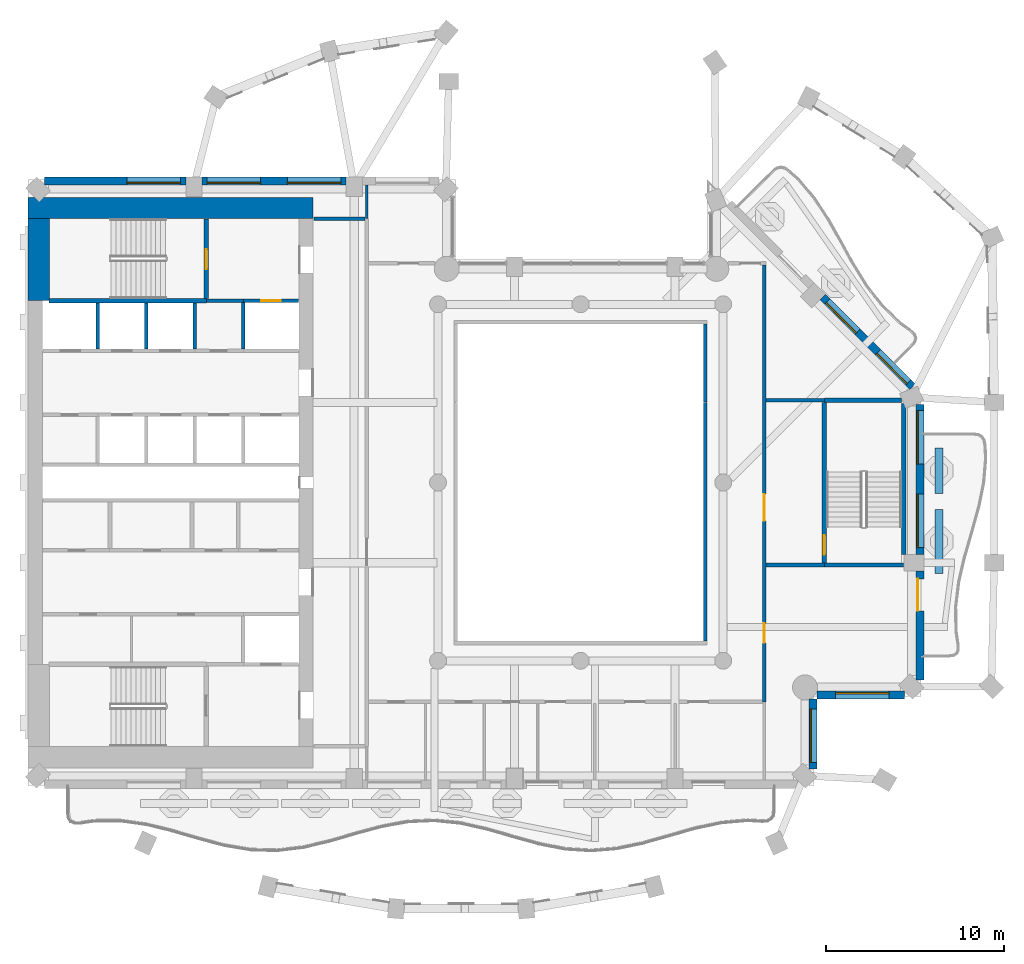
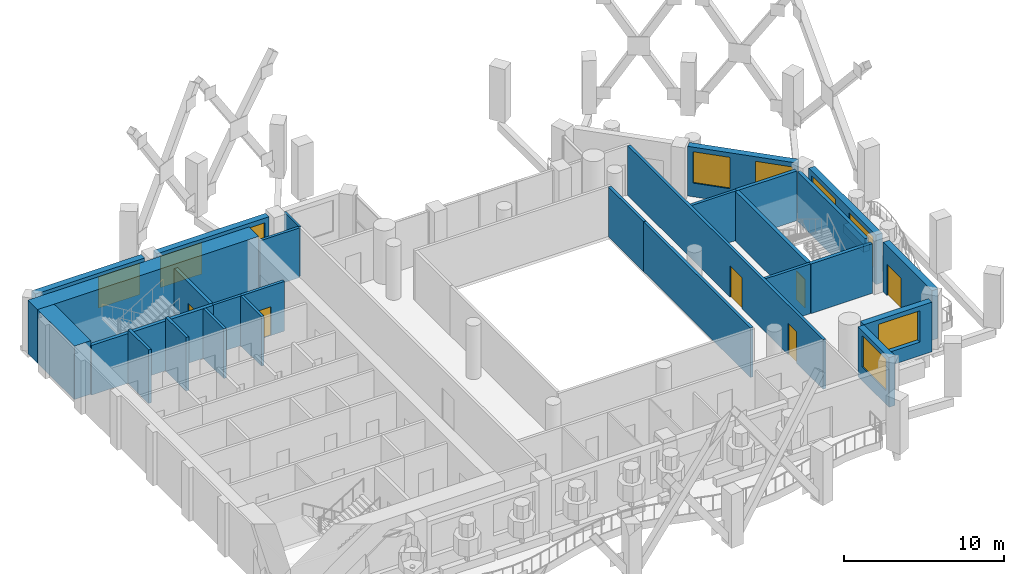
# One storey, part 6 of 16: 30 walls, 9 windows, 6 doors, 15 openings.
"""IFC4 building model written with IfcOpenShell, lengths in metres."""

from ifc_helpers import new_model, si_unit, direction, frame, frame_2d, origin, place, context, subcontext, project, spatial, rectangle, extrude, material, layer, layer_set, type_object, element, fill, save


model = new_model("IFC4")

# Units and contexts
model_context = context("Model", 3, precision=1e-05, world=origin(), true_north=direction((0.0, 1.0)))
body_context = subcontext(model_context, "Body", "Model", "MODEL_VIEW")
ifc_project = project(units=[si_unit("LENGTHUNIT", "METRE"), si_unit("AREAUNIT", "SQUARE_METRE"), si_unit("VOLUMEUNIT", "CUBIC_METRE"), si_unit("PLANEANGLEUNIT", "RADIAN"), si_unit("MASSUNIT", "GRAM", prefix="KILO")], contexts=[model_context])

# Site, building, storey
site_placement = place(None, origin())
site = spatial("IfcSite", under=ifc_project, at=site_placement, CompositionType="ELEMENT")
building_placement = place(site_placement, origin())
building = spatial("IfcBuilding", under=site, at=building_placement, Name="Cypress Arch Tower", CompositionType="ELEMENT")
storey_placement = place(building_placement, frame((0.0, 0.0, 230.199951171875)))
storey = spatial("IfcBuildingStorey", under=building, at=storey_placement, Name="L51", CompositionType="ELEMENT", Elevation=230.199951171875)

# Walls
ifc_material_1 = material(Name="Concrete C40/50, waterproofed", Category="concrete")
ifc_layer_1 = layer(ifc_material_1, 0.449951171875)
ifc_layer_set_1 = layer_set([ifc_layer_1], Name="Balcony planter wall PW450")
wall_type_1 = type_object("IfcWallType", Name="Balcony planter wall PW450", PredefinedType="SOLIDWALL", material=ifc_layer_set_1)
wall_1_placement = place(storey_placement, frame((21.10009765625, -5.10009765625, 0.0), z_axis=(0.0, 0.0, 1.0), x_axis=(0.0, 1.0, 0.0)))
element("IfcWall", 1, at=wall_1_placement, inside=storey, type_object=wall_type_1, Name="Balcony planter wall L51-B04.1", PredefinedType="SOLIDWALL", context=body_context, shape_type="SweptSolid", body=[
    extrude(rectangle(XDim=3.58349609375, YDim=0.449951171875, at=frame_2d((1.791748046875, 0.0))), origin(), (0.0, 0.0, 1.0), 0.60009765625),
])
wall_2_placement = place(storey_placement, frame((21.10009765625, -0.61669921875, 0.0), z_axis=(0.0, 0.0, 1.0), x_axis=(0.0, 1.0, 0.0)))
element("IfcWall", 2, at=wall_2_placement, inside=storey, type_object=wall_type_1, Name="Balcony planter wall L51-B04.2", PredefinedType="SOLIDWALL", context=body_context, shape_type="SweptSolid", body=[
    extrude(rectangle(XDim=2.566650390625, YDim=0.449951171875, at=frame_2d((1.283203125, 0.0))), origin(), (0.0, 0.0, 1.0), 0.60009765625),
])

# Wall, opening, window
ifc_material_2 = material(Name="Brick (red buff blend)", Category="masonry")
ifc_layer_2 = layer(ifc_material_2, 0.449951171875)
ifc_layer_set_2 = layer_set([ifc_layer_2], Name="Brick pier and spandrel wall BW450")
wall_type_2 = type_object("IfcWallType", Name="Brick pier and spandrel wall BW450", PredefinedType="SOLIDWALL", material=ifc_layer_set_2)
wall_3_placement = place(storey_placement, frame((14.02490234375, -16.063720703125, 0.0), z_axis=(0.0, 0.0, 1.0), x_axis=(0.0, 1.0, 0.0)))
wall_3 = element("IfcWall", 3, at=wall_3_placement, inside=storey, type_object=wall_type_2, Name="Brick wall L51 B02.0", PredefinedType="SOLIDWALL", context=body_context, shape_type="SweptSolid", body=[
    extrude(rectangle(XDim=3.9091796875, YDim=0.449951171875, at=frame_2d((1.95458984375, 0.0))), origin(), (0.0, 0.0, 1.0), 3.800048828125),
])
opening_1_placement = place(wall_3_placement, frame((0.363525390625, 0.0, 1.050048828125)))
opening_1 = element("IfcOpeningElement", 4, at=opening_1_placement, cuts=wall_3, Name="Opening W300O", PredefinedType="OPENING", context=body_context, shape_type="SweptSolid", body=[
    extrude(rectangle(XDim=3.0, YDim=2.39990234375, at=frame_2d((1.5, 1.199951171875))), frame((0.0, 0.23486328125, 0.0), z_axis=(0.0, -1.0, 0.0), x_axis=(1.0, 0.0, 0.0)), (0.0, 0.0, 1.0), 0.469970703125),
])
ifc_material_3 = material(Name="Anodised aluminium, bronze finish, clear low-emissivity double glazing", Category="aluminium")
window_type_1 = type_object("IfcWindowType", Name="Window Office 3000x2400", PartitioningType="SINGLE_PANEL", PredefinedType="WINDOW", material=ifc_material_3)
window_1_placement = place(opening_1_placement, origin())
window_1 = element("IfcWindow", 5, at=window_1_placement, inside=storey, type_object=window_type_1, Name="Window L51 B02.0.1", OverallHeight=2.39990234375, OverallWidth=3.0, PartitioningType="SINGLE_PANEL", PredefinedType="WINDOW", context=body_context, shape_type="SweptSolid", body=[
    extrude(rectangle(XDim=3.0, YDim=2.39990234375, at=frame_2d((1.5, 1.199951171875))), frame((0.0, 0.135009765625, 0.0), z_axis=(0.0, -1.0, 0.0), x_axis=(1.0, 0.0, 0.0)), (0.0, 0.0, 1.0), 0.06005859375),
])
fill(opening_1, window_1)

wall_4_placement = place(storey_placement, frame((14.254638671875, -11.925048828125, 0.0), z_axis=(0.0, 0.0, 1.0), x_axis=(1.0, 0.0, 0.0)))
wall_4 = element("IfcWall", 6, at=wall_4_placement, inside=storey, type_object=wall_type_2, Name="Brick wall L51 B03.0", PredefinedType="SOLIDWALL", context=body_context, shape_type="SweptSolid", body=[
    extrude(rectangle(XDim=4.908935546875, YDim=0.449951171875, at=frame_2d((2.45458984375, 0.0))), origin(), (0.0, 0.0, 1.0), 3.800048828125),
])
opening_2_placement = place(wall_4_placement, frame((1.04541015625, 0.0, 1.050048828125)))
opening_2 = element("IfcOpeningElement", 7, at=opening_2_placement, cuts=wall_4, Name="Opening W300O", PredefinedType="OPENING", context=body_context, shape_type="SweptSolid", body=[
    extrude(rectangle(XDim=3.0, YDim=2.39990234375, at=frame_2d((1.5, 1.199951171875))), frame((0.0, 0.23486328125, 0.0), z_axis=(0.0, -1.0, 0.0), x_axis=(1.0, 0.0, 0.0)), (0.0, 0.0, 1.0), 0.469970703125),
])
window_2_placement = place(opening_2_placement, origin())
window_2 = element("IfcWindow", 8, at=window_2_placement, inside=storey, type_object=window_type_1, Name="Window L51 B03.0.1", OverallHeight=2.39990234375, OverallWidth=3.0, PartitioningType="SINGLE_PANEL", PredefinedType="WINDOW", context=body_context, shape_type="SweptSolid", body=[
    extrude(rectangle(XDim=3.0, YDim=2.39990234375, at=frame_2d((1.5, 1.199951171875))), frame((0.0, 0.135009765625, 0.0), z_axis=(0.0, -1.0, 0.0), x_axis=(1.0, 0.0, 0.0)), (0.0, 0.0, 1.0), 0.06005859375),
])
fill(opening_2, window_2)

# Wall, opening, door
wall_5_placement = place(storey_placement, frame((20.02490234375, -11.063720703125, 0.0), z_axis=(0.0, 0.0, 1.0), x_axis=(0.0, 1.0, 0.0)))
wall_5 = element("IfcWall", 9, at=wall_5_placement, inside=storey, type_object=wall_type_2, Name="Brick wall L51 B04.0", PredefinedType="SOLIDWALL", context=body_context, shape_type="SweptSolid", body=[
    extrude(rectangle(XDim=6.11376953125, YDim=0.449951171875, at=frame_2d((3.056884765625, 0.0))), origin(), (0.0, 0.0, 1.0), 3.800048828125),
])
opening_3_placement = place(wall_5_placement, frame((3.863525390625, 0.0, 0.0)))
opening_3 = element("IfcOpeningElement", 10, at=opening_3_placement, cuts=wall_5, Name="Opening D-L51-B04.0.2", PredefinedType="OPENING", context=body_context, shape_type="SweptSolid", body=[
    extrude(rectangle(XDim=1.800048828125, YDim=2.39990234375, at=frame_2d((0.89990234375, 1.199951171875))), frame((0.0, 0.23486328125, 0.0), z_axis=(0.0, -1.0, 0.0), x_axis=(1.0, 0.0, 0.0)), (0.0, 0.0, 1.0), 0.469970703125),
])
ifc_material_4 = material(Name="Anodised aluminium, bronze finish, laminated low-emissivity double glazing, large-missile impact rated", Category="aluminium")
door_type_1 = type_object("IfcDoorType", Name="Balcony sliding door 1800x2400", OperationType="SLIDING_TO_LEFT", PredefinedType="DOOR", material=ifc_material_4)
door_1_placement = place(opening_3_placement, origin())
door_1 = element("IfcDoor", 11, at=door_1_placement, inside=storey, type_object=door_type_1, Name="Balcony door L51 B04.0.2", OperationType="SLIDING_TO_LEFT", OverallHeight=2.39990234375, OverallWidth=1.800048828125, PredefinedType="DOOR", context=body_context, shape_type="SweptSolid", body=[
    extrude(rectangle(XDim=1.800048828125, YDim=2.39990234375, at=frame_2d((0.89990234375, 1.199951171875))), frame((0.0, 0.1298828125, 0.0), z_axis=(0.0, -1.0, 0.0), x_axis=(1.0, 0.0, 0.0)), (0.0, 0.0, 1.0), 0.050048828125),
])
fill(opening_3, door_1)

# Wall, openings, windows
wall_6_placement = place(storey_placement, frame((20.02490234375, -4.050048828125, 0.0), z_axis=(0.0, 0.0, 1.0), x_axis=(0.0, 1.0, 0.0)))
wall_6 = element("IfcWall", 12, at=wall_6_placement, inside=storey, type_object=wall_type_2, Name="Brick wall L51 B04.1", PredefinedType="SOLIDWALL", context=body_context, shape_type="SweptSolid", body=[
    extrude(rectangle(XDim=8.438720703125, YDim=0.449951171875, at=frame_2d((4.21923828125, 0.0))), origin(), (0.0, 0.0, 1.0), 3.800048828125),
])
opening_4_placement = place(wall_6_placement, frame((0.39404296875, 0.0, 1.050048828125)))
opening_4 = element("IfcOpeningElement", 13, at=opening_4_placement, cuts=wall_6, Name="Opening W300OD", PredefinedType="OPENING", context=body_context, shape_type="SweptSolid", body=[
    extrude(rectangle(XDim=3.0, YDim=2.39990234375, at=frame_2d((1.5, 1.199951171875))), frame((0.0, 0.23486328125, 0.0), z_axis=(0.0, -1.0, 0.0), x_axis=(1.0, 0.0, 0.0)), (0.0, 0.0, 1.0), 0.469970703125),
])
opening_5_placement = place(wall_6_placement, frame((5.081787109375, 0.0, 1.050048828125)))
opening_5 = element("IfcOpeningElement", 14, at=opening_5_placement, cuts=wall_6, Name="Opening W300OD", PredefinedType="OPENING", context=body_context, shape_type="SweptSolid", body=[
    extrude(rectangle(XDim=3.0, YDim=2.39990234375, at=frame_2d((1.5, 1.199951171875))), frame((0.0, 0.23486328125, 0.0), z_axis=(0.0, -1.0, 0.0), x_axis=(1.0, 0.0, 0.0)), (0.0, 0.0, 1.0), 0.469970703125),
])
ifc_material_5 = material(Name="Anodised aluminium, bronze finish, laminated low-emissivity double glazing, large-missile impact rated", Category="aluminium")
window_type_2 = type_object("IfcWindowType", Name="Window Office 3000x2400 debris-rated", PartitioningType="SINGLE_PANEL", PredefinedType="WINDOW", material=ifc_material_5)
window_3_placement = place(opening_4_placement, origin())
window_3 = element("IfcWindow", 15, at=window_3_placement, inside=storey, type_object=window_type_2, Name="Window L51 B04.1.1", OverallHeight=2.39990234375, OverallWidth=3.0, PartitioningType="SINGLE_PANEL", PredefinedType="WINDOW", context=body_context, shape_type="SweptSolid", body=[
    extrude(rectangle(XDim=3.0, YDim=2.39990234375, at=frame_2d((1.5, 1.199951171875))), frame((0.0, 0.135009765625, 0.0), z_axis=(0.0, -1.0, 0.0), x_axis=(1.0, 0.0, 0.0)), (0.0, 0.0, 1.0), 0.06005859375),
])
fill(opening_4, window_3)
window_4_placement = place(opening_5_placement, origin())
window_4 = element("IfcWindow", 16, at=window_4_placement, inside=storey, type_object=window_type_2, Name="Window L51 B04.1.2", OverallHeight=2.39990234375, OverallWidth=3.0, PartitioningType="SINGLE_PANEL", PredefinedType="WINDOW", context=body_context, shape_type="SweptSolid", body=[
    extrude(rectangle(XDim=3.0, YDim=2.39990234375, at=frame_2d((1.5, 1.199951171875))), frame((0.0, 0.135009765625, 0.0), z_axis=(0.0, -1.0, 0.0), x_axis=(1.0, 0.0, 0.0)), (0.0, 0.0, 1.0), 0.06005859375),
])
fill(opening_5, window_4)

wall_7_placement = place(storey_placement, frame((19.61474609375, 5.379150390625, 0.0), z_axis=(0.0, 0.0, 1.0), x_axis=(-0.707089646058, 0.7071239159, 0.0)))
wall_7 = element("IfcWall", 17, at=wall_7_placement, inside=storey, type_object=wall_type_2, Name="Brick wall L51 B05.0", PredefinedType="SOLIDWALL", context=body_context, shape_type="SweptSolid", body=[
    extrude(rectangle(XDim=7.1240234375, YDim=0.449951171875, at=frame_2d((3.56201171875, 0.0))), origin(), (0.0, 0.0, 1.0), 3.800048828125),
])
opening_6_placement = place(wall_7_placement, frame((0.328125, 0.0, 1.050048828125)))
opening_6 = element("IfcOpeningElement", 18, at=opening_6_placement, cuts=wall_7, Name="Opening W240OD", PredefinedType="OPENING", context=body_context, shape_type="SweptSolid", body=[
    extrude(rectangle(XDim=2.39990234375, YDim=2.39990234375, at=frame_2d((1.199951171875, 1.199951171875))), frame((0.0, 0.23486328125, 0.0), z_axis=(0.0, -1.0, 0.0), x_axis=(1.0, 0.0, 0.0)), (0.0, 0.0, 1.0), 0.469970703125),
])
opening_7_placement = place(wall_7_placement, frame((4.358642578125, 0.0, 1.050048828125)))
opening_7 = element("IfcOpeningElement", 19, at=opening_7_placement, cuts=wall_7, Name="Opening W240OD", PredefinedType="OPENING", context=body_context, shape_type="SweptSolid", body=[
    extrude(rectangle(XDim=2.39990234375, YDim=2.39990234375, at=frame_2d((1.199951171875, 1.199951171875))), frame((0.0, 0.23486328125, 0.0), z_axis=(0.0, -1.0, 0.0), x_axis=(1.0, 0.0, 0.0)), (0.0, 0.0, 1.0), 0.469970703125),
])
ifc_material_6 = material(Name="Anodised aluminium, bronze finish, laminated low-emissivity double glazing, large-missile impact rated", Category="aluminium")
window_type_3 = type_object("IfcWindowType", Name="Window Office 2400x2400 debris-rated", PartitioningType="SINGLE_PANEL", PredefinedType="WINDOW", material=ifc_material_6)
window_5_placement = place(opening_6_placement, origin())
window_5 = element("IfcWindow", 20, at=window_5_placement, inside=storey, type_object=window_type_3, Name="Window L51 B05.0.1", OverallHeight=2.39990234375, OverallWidth=2.39990234375, PartitioningType="SINGLE_PANEL", PredefinedType="WINDOW", context=body_context, shape_type="SweptSolid", body=[
    extrude(rectangle(XDim=2.39990234375, YDim=2.39990234375, at=frame_2d((1.199951171875, 1.199951171875))), frame((0.0, 0.135009765625, 0.0), z_axis=(0.0, -1.0, 0.0), x_axis=(1.0, 0.0, 0.0)), (0.0, 0.0, 1.0), 0.06005859375),
])
fill(opening_6, window_5)
window_6_placement = place(opening_7_placement, origin())
window_6 = element("IfcWindow", 21, at=window_6_placement, inside=storey, type_object=window_type_3, Name="Window L51 B05.0.2", OverallHeight=2.39990234375, OverallWidth=2.39990234375, PartitioningType="SINGLE_PANEL", PredefinedType="WINDOW", context=body_context, shape_type="SweptSolid", body=[
    extrude(rectangle(XDim=2.39990234375, YDim=2.39990234375, at=frame_2d((1.199951171875, 1.199951171875))), frame((0.0, 0.135009765625, 0.0), z_axis=(0.0, -1.0, 0.0), x_axis=(1.0, 0.0, 0.0)), (0.0, 0.0, 1.0), 0.06005859375),
])
fill(opening_7, window_6)

wall_8_placement = place(storey_placement, frame((-12.14990234375, 16.925048828125, 0.0), z_axis=(0.0, 0.0, 1.0), x_axis=(-1.0, 0.0, 0.0)))
wall_8 = element("IfcWall", 22, at=wall_8_placement, inside=storey, type_object=wall_type_2, Name="Brick wall L51 B09.1", PredefinedType="SOLIDWALL", context=body_context, shape_type="SweptSolid", body=[
    extrude(rectangle(XDim=8.10009765625, YDim=0.449951171875, at=frame_2d((4.050048828125, 0.0))), origin(), (0.0, 0.0, 1.0), 3.800048828125),
])
opening_8_placement = place(wall_8_placement, frame((0.300048828125, 0.0, 1.050048828125)))
opening_8 = element("IfcOpeningElement", 23, at=opening_8_placement, cuts=wall_8, Name="Opening W300O", PredefinedType="OPENING", context=body_context, shape_type="SweptSolid", body=[
    extrude(rectangle(XDim=3.0, YDim=2.39990234375, at=frame_2d((1.5, 1.199951171875))), frame((0.0, 0.23486328125, 0.0), z_axis=(0.0, -1.0, 0.0), x_axis=(1.0, 0.0, 0.0)), (0.0, 0.0, 1.0), 0.469970703125),
])
opening_9_placement = place(wall_8_placement, frame((4.800048828125, 0.0, 1.050048828125)))
opening_9 = element("IfcOpeningElement", 24, at=opening_9_placement, cuts=wall_8, Name="Opening W300O", PredefinedType="OPENING", context=body_context, shape_type="SweptSolid", body=[
    extrude(rectangle(XDim=3.0, YDim=2.39990234375, at=frame_2d((1.5, 1.199951171875))), frame((0.0, 0.23486328125, 0.0), z_axis=(0.0, -1.0, 0.0), x_axis=(1.0, 0.0, 0.0)), (0.0, 0.0, 1.0), 0.469970703125),
])
window_7_placement = place(opening_8_placement, origin())
window_7 = element("IfcWindow", 25, at=window_7_placement, inside=storey, type_object=window_type_1, Name="Window L51 B09.1.1", OverallHeight=2.39990234375, OverallWidth=3.0, PartitioningType="SINGLE_PANEL", PredefinedType="WINDOW", context=body_context, shape_type="SweptSolid", body=[
    extrude(rectangle(XDim=3.0, YDim=2.39990234375, at=frame_2d((1.5, 1.199951171875))), frame((0.0, 0.135009765625, 0.0), z_axis=(0.0, -1.0, 0.0), x_axis=(1.0, 0.0, 0.0)), (0.0, 0.0, 1.0), 0.06005859375),
])
fill(opening_8, window_7)
window_8_placement = place(opening_9_placement, origin())
window_8 = element("IfcWindow", 26, at=window_8_placement, inside=storey, type_object=window_type_1, Name="Window L51 B09.1.2", OverallHeight=2.39990234375, OverallWidth=3.0, PartitioningType="SINGLE_PANEL", PredefinedType="WINDOW", context=body_context, shape_type="SweptSolid", body=[
    extrude(rectangle(XDim=3.0, YDim=2.39990234375, at=frame_2d((1.5, 1.199951171875))), frame((0.0, 0.135009765625, 0.0), z_axis=(0.0, -1.0, 0.0), x_axis=(1.0, 0.0, 0.0)), (0.0, 0.0, 1.0), 0.06005859375),
])
fill(opening_9, window_8)

# Wall, opening, window
wall_9_placement = place(storey_placement, frame((-21.14990234375, 16.925048828125, 0.0), z_axis=(0.0, 0.0, 1.0), x_axis=(-1.0, 0.0, 0.0)))
wall_9 = element("IfcWall", 27, at=wall_9_placement, inside=storey, type_object=wall_type_2, Name="Brick wall L51 B09.2", PredefinedType="SOLIDWALL", context=body_context, shape_type="SweptSolid", body=[
    extrude(rectangle(XDim=7.913818359375, YDim=0.449951171875, at=frame_2d((3.95703125, 0.0))), origin(), (0.0, 0.0, 1.0), 3.800048828125),
])
opening_10_placement = place(wall_9_placement, frame((0.300048828125, 0.0, 1.050048828125)))
opening_10 = element("IfcOpeningElement", 28, at=opening_10_placement, cuts=wall_9, Name="Opening W300O", PredefinedType="OPENING", context=body_context, shape_type="SweptSolid", body=[
    extrude(rectangle(XDim=3.0, YDim=2.39990234375, at=frame_2d((1.5, 1.199951171875))), frame((0.0, 0.23486328125, 0.0), z_axis=(0.0, -1.0, 0.0), x_axis=(1.0, 0.0, 0.0)), (0.0, 0.0, 1.0), 0.469970703125),
])
window_9_placement = place(opening_10_placement, origin())
window_9 = element("IfcWindow", 29, at=window_9_placement, inside=storey, type_object=window_type_1, Name="Window L51 B09.2.1", OverallHeight=2.39990234375, OverallWidth=3.0, PartitioningType="SINGLE_PANEL", PredefinedType="WINDOW", context=body_context, shape_type="SweptSolid", body=[
    extrude(rectangle(XDim=3.0, YDim=2.39990234375, at=frame_2d((1.5, 1.199951171875))), frame((0.0, 0.135009765625, 0.0), z_axis=(0.0, -1.0, 0.0), x_axis=(1.0, 0.0, 0.0)), (0.0, 0.0, 1.0), 0.06005859375),
])
fill(opening_10, window_9)

# Walls
ifc_material_7 = material(Name="Concrete C70/85", Category="concrete")
ifc_layer_3 = layer(ifc_material_7, 1.199951171875)
ifc_layer_set_3 = layer_set([ifc_layer_3], Name="Core wall CW1200 C70/85")
wall_type_3 = type_object("IfcWallType", Name="Core wall CW1200 C70/85", PredefinedType="SHEAR", material=ifc_layer_set_3)
wall_10_placement = place(storey_placement, frame((-30.0, 15.39990234375, 0.0), z_axis=(0.0, 0.0, 1.0), x_axis=(1.0, 0.0, 0.0)))
element("IfcWall", 30, at=wall_10_placement, inside=storey, type_object=wall_type_3, Name="Core wall", PredefinedType="SHEAR", context=body_context, shape_type="SweptSolid", body=[
    extrude(rectangle(XDim=16.0, YDim=1.199951171875, at=frame_2d((8.0, 0.0))), origin(), (0.0, 0.0, 1.0), 4.10009765625),
])
wall_11_placement = place(storey_placement, frame((-29.39990234375, 10.199951171875, 0.0), z_axis=(0.0, 0.0, 1.0), x_axis=(0.0, 1.0, 0.0)))
element("IfcWall", 31, at=wall_11_placement, inside=storey, type_object=wall_type_3, Name="Core wall", PredefinedType="SHEAR", context=body_context, shape_type="SweptSolid", body=[
    extrude(rectangle(XDim=4.60009765625, YDim=1.199951171875, at=frame_2d((2.300048828125, 0.0))), origin(), (0.0, 0.0, 1.0), 4.10009765625),
])
ifc_material_8 = material(Name="Concrete blockwork, plastered, rated", Category="masonry")
ifc_layer_4 = layer(ifc_material_8, 0.199951171875)
ifc_layer_set_4 = layer_set([ifc_layer_4], Name="Corridor wall FW200")
wall_type_4 = type_object("IfcWallType", Name="Corridor wall FW200", PredefinedType="PARTITIONING", material=ifc_layer_set_4)
wall_12_placement = place(storey_placement, frame((-20.0, 10.199951171875, 0.0), z_axis=(0.0, 0.0, 1.0), x_axis=(1.0, 0.0, 0.0)))
element("IfcWall", 32, at=wall_12_placement, inside=storey, type_object=wall_type_4, Name="Corridor wall", PredefinedType="PARTITIONING", context=body_context, shape_type="SweptSolid", body=[
    extrude(rectangle(XDim=2.080078125, YDim=0.199951171875, at=frame_2d((1.0400390625, 0.0))), origin(), (0.0, 0.0, 1.0), 3.800048828125),
])
wall_13_placement = place(storey_placement, frame((-13.969970703125, 14.800048828125, 0.0), z_axis=(0.0, 0.0, 1.0), x_axis=(1.0, 0.0, 0.0)))
element("IfcWall", 33, at=wall_13_placement, inside=storey, type_object=wall_type_4, Name="Corridor wall", PredefinedType="PARTITIONING", context=body_context, shape_type="SweptSolid", body=[
    extrude(rectangle(XDim=2.869873046875, YDim=0.199951171875, at=frame_2d((1.43505859375, 0.0))), origin(), (0.0, 0.0, 1.0), 3.800048828125),
])
wall_14_placement = place(storey_placement, frame((8.0, -8.89990234375, 0.0), z_axis=(0.0, 0.0, 1.0), x_axis=(0.0, 1.0, 0.0)))
element("IfcWall", 34, at=wall_14_placement, inside=storey, type_object=wall_type_4, Name="Corridor wall", PredefinedType="PARTITIONING", context=body_context, shape_type="SweptSolid", body=[
    extrude(rectangle(XDim=13.3798828125, YDim=0.199951171875, at=frame_2d((6.68994140625, 0.0))), origin(), (0.0, 0.0, 1.0), 3.800048828125),
])
wall_15_placement = place(storey_placement, frame((8.0, 4.52001953125, 0.0), z_axis=(0.0, 0.0, 1.0), x_axis=(0.0, 1.0, 0.0)))
element("IfcWall", 35, at=wall_15_placement, inside=storey, type_object=wall_type_4, Name="Corridor wall", PredefinedType="PARTITIONING", context=body_context, shape_type="SweptSolid", body=[
    extrude(rectangle(XDim=4.3798828125, YDim=0.199951171875, at=frame_2d((2.18994140625, 0.0))), origin(), (0.0, 0.0, 1.0), 3.800048828125),
])

# Wall, openings, doors
wall_16_placement = place(storey_placement, frame((11.300048828125, -12.300048828125, 0.0), z_axis=(0.0, 0.0, 1.0), x_axis=(0.0, 1.0, 0.0)))
wall_16 = element("IfcWall", 36, at=wall_16_placement, inside=storey, type_object=wall_type_4, Name="Corridor wall", PredefinedType="PARTITIONING", context=body_context, shape_type="SweptSolid", body=[
    extrude(rectangle(XDim=24.5, YDim=0.199951171875, at=frame_2d((12.25, 0.0))), origin(), (0.0, 0.0, 1.0), 3.800048828125),
])
opening_11_placement = place(wall_16_placement, frame((10.14990234375, 0.0, 0.0)))
opening_11 = element("IfcOpeningElement", 37, at=opening_11_placement, cuts=wall_16, Name="Opening D07", PredefinedType="OPENING", context=body_context, shape_type="SweptSolid", body=[
    extrude(rectangle(XDim=1.5, YDim=2.39990234375, at=frame_2d((0.75, 1.199951171875))), frame((0.0, 0.10986328125, 0.0), z_axis=(0.0, -1.0, 0.0), x_axis=(1.0, 0.0, 0.0)), (0.0, 0.0, 1.0), 0.219970703125),
])
opening_12_placement = place(wall_16_placement, frame((3.300048828125, 0.0, 0.0)))
opening_12 = element("IfcOpeningElement", 38, at=opening_12_placement, cuts=wall_16, Name="Opening D01", PredefinedType="OPENING", context=body_context, shape_type="SweptSolid", body=[
    extrude(rectangle(XDim=1.10009765625, YDim=2.39990234375, at=frame_2d((0.550048828125, 1.199951171875))), frame((0.0, 0.10986328125, 0.0), z_axis=(0.0, -1.0, 0.0), x_axis=(1.0, 0.0, 0.0)), (0.0, 0.0, 1.0), 0.219970703125),
])
ifc_material_9 = material(Name="Steel framed glazed door, fire resisting", Category="steel")
door_type_2 = type_object("IfcDoorType", Name="Lobby door D07 1500x2400", OperationType="DOUBLE_DOOR_SINGLE_SWING", PredefinedType="DOOR", material=ifc_material_9)
door_2_placement = place(opening_11_placement, origin())
door_2 = element("IfcDoor", 39, at=door_2_placement, inside=storey, type_object=door_type_2, Name="Lobby door", OperationType="DOUBLE_DOOR_SINGLE_SWING", OverallHeight=2.39990234375, OverallWidth=1.5, PredefinedType="DOOR", context=body_context, shape_type="SweptSolid", body=[
    extrude(rectangle(XDim=1.5, YDim=2.39990234375, at=frame_2d((0.75, 1.199951171875))), frame((0.0, 0.02490234375, 0.0), z_axis=(0.0, -1.0, 0.0), x_axis=(1.0, 0.0, 0.0)), (0.0, 0.0, 1.0), 0.050048828125),
])
fill(opening_11, door_2)
ifc_material_10 = material(Name="Timber flush door, fire resisting, self-closing", Category="wood")
door_type_3 = type_object("IfcDoorType", Name="Unit entrance door D01 1100x2400", OperationType="SINGLE_SWING_LEFT", PredefinedType="DOOR", material=ifc_material_10)
door_3_placement = place(opening_12_placement, origin())
door_3 = element("IfcDoor", 40, at=door_3_placement, inside=storey, type_object=door_type_3, Name="Unit entrance door", OperationType="SINGLE_SWING_RIGHT", OverallHeight=2.39990234375, OverallWidth=1.10009765625, PredefinedType="DOOR", context=body_context, shape_type="SweptSolid", body=[
    extrude(rectangle(XDim=1.10009765625, YDim=2.39990234375, at=frame_2d((0.550048828125, 1.199951171875))), frame((0.0, 0.02490234375, 0.0), z_axis=(0.0, -1.0, 0.0), x_axis=(1.0, 0.0, 0.0)), (0.0, 0.0, 1.0), 0.050048828125),
])
fill(opening_12, door_3)

# Walls
for number, where, z_axis, x_axis, name in (
    (41, (11.39990234375, -4.625, 0.0), (0.0, 0.0, 1.0), (1.0, 0.0, 0.0), "Corridor wall"),
    (42, (11.39990234375, 4.625, 0.0), (0.0, 0.0, 1.0), (1.0, 0.0, 0.0), "Corridor wall"),
):
    element("IfcWall", number, at=place(storey_placement, frame(where, z_axis=z_axis, x_axis=x_axis)), inside=storey, type_object=wall_type_4, Name=name, PredefinedType="PARTITIONING", context=body_context, shape_type="SweptSolid", body=[
        extrude(rectangle(XDim=3.275146484375, YDim=0.199951171875, at=frame_2d((1.6376953125, 0.0))), origin(), (0.0, 0.0, 1.0), 3.800048828125),
    ])
ifc_material_11 = material(Name="Blockwork, plastered both sides", Category="masonry")
ifc_layer_5 = layer(ifc_material_11, 0.14990234375)
ifc_layer_set_5 = layer_set([ifc_layer_5], Name="Partition PW150")
wall_type_5 = type_object("IfcWallType", Name="Partition PW150", PredefinedType="PARTITIONING", material=ifc_layer_set_5)
wall_17_placement = place(storey_placement, frame((-11.0, 14.820068359375, 0.0), z_axis=(0.0, 0.0, 1.0), x_axis=(0.0, 1.0, 0.0)))
element("IfcWall", 43, at=wall_17_placement, inside=storey, type_object=wall_type_5, Name="Partition", PredefinedType="PARTITIONING", context=body_context, shape_type="SweptSolid", body=[
    extrude(rectangle(XDim=1.8798828125, YDim=0.14990234375, at=frame_2d((0.93994140625, 0.0))), origin(), (0.0, 0.0, 1.0), 3.800048828125),
])
ifc_material_12 = material(Name="Concrete C50/60", Category="concrete")
ifc_layer_6 = layer(ifc_material_12, 0.199951171875)
ifc_layer_set_6 = layer_set([ifc_layer_6], Name="Shaft wall SH200")
wall_type_6 = type_object("IfcWallType", Name="Shaft wall SH200", PredefinedType="SHEAR", material=ifc_layer_set_6)
for number, where, z_axis, x_axis, name in (
    (44, (-26.080078125, 7.5, 0.0), (0.0, 0.0, 1.0), (0.0, 1.0, 0.0), "Shaft wall"),
    (45, (-23.360107421875, 7.5, 0.0), (0.0, 0.0, 1.0), (0.0, 1.0, 0.0), "Shaft wall"),
):
    element("IfcWall", number, at=place(storey_placement, frame(where, z_axis=z_axis, x_axis=x_axis)), inside=storey, type_object=wall_type_6, Name=name, PredefinedType="SHEAR", context=body_context, shape_type="SweptSolid", body=[
        extrude(rectangle(XDim=2.574951171875, YDim=0.199951171875, at=frame_2d((1.28759765625, 0.0))), origin(), (0.0, 0.0, 1.0), 4.10009765625),
    ])
wall_18_placement = place(storey_placement, frame((-20.639892578125, 7.5, 0.0), z_axis=(0.0, 0.0, 1.0), x_axis=(0.0, 1.0, 0.0)))
element("IfcWall", 46, at=wall_18_placement, inside=storey, type_object=wall_type_6, Name="Shaft wall", PredefinedType="SHEAR", context=body_context, shape_type="SweptSolid", body=[
    extrude(rectangle(XDim=2.574951171875, YDim=0.199951171875, at=frame_2d((1.28759765625, 0.0))), origin(), (0.0, 0.0, 1.0), 3.800048828125),
])
wall_19_placement = place(storey_placement, frame((-17.919921875, 7.5, 0.0), z_axis=(0.0, 0.0, 1.0), x_axis=(0.0, 1.0, 0.0)))
element("IfcWall", 47, at=wall_19_placement, inside=storey, type_object=wall_type_6, Name="Shaft wall", PredefinedType="SHEAR", context=body_context, shape_type="SweptSolid", body=[
    extrude(rectangle(XDim=2.60009765625, YDim=0.199951171875, at=frame_2d((1.300048828125, 0.0))), origin(), (0.0, 0.0, 1.0), 3.800048828125),
])

# Wall, opening, door
wall_20_placement = place(storey_placement, frame((-17.919921875, 10.199951171875, 0.0), z_axis=(0.0, 0.0, 1.0), x_axis=(1.0, 0.0, 0.0)))
wall_20 = element("IfcWall", 48, at=wall_20_placement, inside=storey, type_object=wall_type_6, Name="Shaft wall", PredefinedType="SHEAR", context=body_context, shape_type="SweptSolid", body=[
    extrude(rectangle(XDim=3.08984375, YDim=0.199951171875, at=frame_2d((1.544921875, 0.0))), origin(), (0.0, 0.0, 1.0), 3.800048828125),
])
opening_13_placement = place(wall_20_placement, frame((1.0, 0.0, 0.0)))
opening_13 = element("IfcOpeningElement", 49, at=opening_13_placement, cuts=wall_20, Name="Opening LD-FL2", PredefinedType="OPENING", context=body_context, shape_type="SweptSolid", body=[
    extrude(rectangle(XDim=1.10009765625, YDim=2.199951171875, at=frame_2d((0.550048828125, 1.10009765625))), frame((0.0, 0.10986328125, 0.0), z_axis=(0.0, -1.0, 0.0), x_axis=(1.0, 0.0, 0.0)), (0.0, 0.0, 1.0), 0.219970703125),
])
ifc_material_13 = material(Name="Stainless steel centre-opening landing door, rated", Category="steel")
door_type_4 = type_object("IfcDoorType", Name="Lift landing door LD 1100x2200", OperationType="DOUBLE_DOOR_SLIDING", PredefinedType="DOOR", material=ifc_material_13)
door_4_placement = place(opening_13_placement, origin())
door_4 = element("IfcDoor", 50, at=door_4_placement, inside=storey, type_object=door_type_4, Name="Lift landing doors FL2", OperationType="DOUBLE_DOOR_SLIDING", OverallHeight=2.199951171875, OverallWidth=1.10009765625, PredefinedType="DOOR", context=body_context, shape_type="SweptSolid", body=[
    extrude(rectangle(XDim=1.10009765625, YDim=2.199951171875, at=frame_2d((0.550048828125, 1.10009765625))), frame((0.0, 0.02490234375, 0.0), z_axis=(0.0, -1.0, 0.0), x_axis=(1.0, 0.0, 0.0)), (0.0, 0.0, 1.0), 0.050048828125),
])
fill(opening_13, door_4)

# Wall
ifc_material_14 = material(Name="Concrete C50/60", Category="concrete")
ifc_layer_7 = layer(ifc_material_14, 0.25)
ifc_layer_set_7 = layer_set([ifc_layer_7], Name="Stair enclosure wall SW250")
wall_type_7 = type_object("IfcWallType", Name="Stair enclosure wall SW250", PredefinedType="SHEAR", material=ifc_layer_set_7)
wall_21_placement = place(storey_placement, frame((-28.81005859375, 10.199951171875, 0.0), z_axis=(0.0, 0.0, 1.0), x_axis=(1.0, 0.0, 0.0)))
element("IfcWall", 51, at=wall_21_placement, inside=storey, type_object=wall_type_7, Name="Stair enclosure wall", PredefinedType="SHEAR", context=body_context, shape_type="SweptSolid", body=[
    extrude(rectangle(XDim=8.81005859375, YDim=0.25, at=frame_2d((4.405029296875, 0.0))), origin(), (0.0, 0.0, 1.0), 3.800048828125),
])

# Wall, opening, door
wall_22_placement = place(storey_placement, frame((-20.0, 10.324951171875, 0.0), z_axis=(0.0, 0.0, 1.0), x_axis=(0.0, 1.0, 0.0)))
wall_22 = element("IfcWall", 52, at=wall_22_placement, inside=storey, type_object=wall_type_7, Name="Stair enclosure wall", PredefinedType="SHEAR", context=body_context, shape_type="SweptSolid", body=[
    extrude(rectangle(XDim=4.445068359375, YDim=0.25, at=frame_2d((2.22265625, 0.0))), origin(), (0.0, 0.0, 1.0), 3.800048828125),
])
opening_14_placement = place(wall_22_placement, frame((1.64990234375, 0.0, 0.0)))
opening_14 = element("IfcOpeningElement", 53, at=opening_14_placement, cuts=wall_22, Name="Opening D06", PredefinedType="OPENING", context=body_context, shape_type="SweptSolid", body=[
    extrude(rectangle(XDim=1.10009765625, YDim=2.199951171875, at=frame_2d((0.550048828125, 1.10009765625))), frame((0.0, 0.135009765625, 0.0), z_axis=(0.0, -1.0, 0.0), x_axis=(1.0, 0.0, 0.0)), (0.0, 0.0, 1.0), 0.27001953125),
])
ifc_material_15 = material(Name="Steel door, fire resisting, panic bar", Category="steel")
door_type_5 = type_object("IfcDoorType", Name="Stair door D06 1100x2200", OperationType="SINGLE_SWING_LEFT", PredefinedType="DOOR", material=ifc_material_15)
door_5_placement = place(opening_14_placement, origin())
door_5 = element("IfcDoor", 54, at=door_5_placement, inside=storey, type_object=door_type_5, Name="Stair door", OperationType="SINGLE_SWING_LEFT", OverallHeight=2.199951171875, OverallWidth=1.10009765625, PredefinedType="DOOR", context=body_context, shape_type="SweptSolid", body=[
    extrude(rectangle(XDim=1.10009765625, YDim=2.199951171875, at=frame_2d((0.550048828125, 1.10009765625))), frame((0.0, 0.02490234375, 0.0), z_axis=(0.0, -1.0, 0.0), x_axis=(1.0, 0.0, 0.0)), (0.0, 0.0, 1.0), 0.050048828125),
])
fill(opening_14, door_5)

wall_23_placement = place(storey_placement, frame((14.675048828125, -4.5, 0.0), z_axis=(0.0, 0.0, 1.0), x_axis=(0.0, 1.0, 0.0)))
wall_23 = element("IfcWall", 55, at=wall_23_placement, inside=storey, type_object=wall_type_7, Name="Stair enclosure wall", PredefinedType="SHEAR", context=body_context, shape_type="SweptSolid", body=[
    extrude(rectangle(XDim=9.0, YDim=0.25, at=frame_2d((4.5, 0.0))), origin(), (0.0, 0.0, 1.0), 3.800048828125),
])
opening_15_placement = place(wall_23_placement, frame((0.449951171875, 0.0, 0.0)))
opening_15 = element("IfcOpeningElement", 56, at=opening_15_placement, cuts=wall_23, Name="Opening D06", PredefinedType="OPENING", context=body_context, shape_type="SweptSolid", body=[
    extrude(rectangle(XDim=1.10009765625, YDim=2.199951171875, at=frame_2d((0.550048828125, 1.10009765625))), frame((0.0, 0.135009765625, 0.0), z_axis=(0.0, -1.0, 0.0), x_axis=(1.0, 0.0, 0.0)), (0.0, 0.0, 1.0), 0.27001953125),
])
door_6_placement = place(opening_15_placement, origin())
door_6 = element("IfcDoor", 57, at=door_6_placement, inside=storey, type_object=door_type_5, Name="Stair door", OperationType="SINGLE_SWING_RIGHT", OverallHeight=2.199951171875, OverallWidth=1.10009765625, PredefinedType="DOOR", context=body_context, shape_type="SweptSolid", body=[
    extrude(rectangle(XDim=1.10009765625, YDim=2.199951171875, at=frame_2d((0.550048828125, 1.10009765625))), frame((0.0, 0.02490234375, 0.0), z_axis=(0.0, -1.0, 0.0), x_axis=(1.0, 0.0, 0.0)), (0.0, 0.0, 1.0), 0.050048828125),
])
fill(opening_15, door_6)

# Walls
wall_24_placement = place(storey_placement, frame((14.675048828125, -4.625, 0.0), z_axis=(0.0, 0.0, 1.0), x_axis=(1.0, 0.0, 0.0)))
element("IfcWall", 58, at=wall_24_placement, inside=storey, type_object=wall_type_7, Name="Stair enclosure wall", PredefinedType="SHEAR", context=body_context, shape_type="SweptSolid", body=[
    extrude(rectangle(XDim=4.449951171875, YDim=0.25, at=frame_2d((2.22509765625, 0.0))), origin(), (0.0, 0.0, 1.0), 3.800048828125),
])
wall_25_placement = place(storey_placement, frame((14.675048828125, 4.625, 0.0), z_axis=(0.0, 0.0, 1.0), x_axis=(1.0, 0.0, 0.0)))
element("IfcWall", 59, at=wall_25_placement, inside=storey, type_object=wall_type_7, Name="Stair enclosure wall", PredefinedType="SHEAR", context=body_context, shape_type="SweptSolid", body=[
    extrude(rectangle(XDim=4.32373046875, YDim=0.25, at=frame_2d((2.161865234375, 0.0))), origin(), (0.0, 0.0, 1.0), 3.800048828125),
])
wall_26_placement = place(storey_placement, frame((19.125, -4.050048828125, 0.0), z_axis=(0.0, 0.0, 1.0), x_axis=(0.0, 1.0, 0.0)))
element("IfcWall", 60, at=wall_26_placement, inside=storey, type_object=wall_type_7, Name="Stair enclosure wall", PredefinedType="SHEAR", context=body_context, shape_type="SweptSolid", body=[
    extrude(rectangle(XDim=8.4765625, YDim=0.25, at=frame_2d((4.23828125, 0.0))), origin(), (0.0, 0.0, 1.0), 3.800048828125),
])

save(model, "model.ifc")
